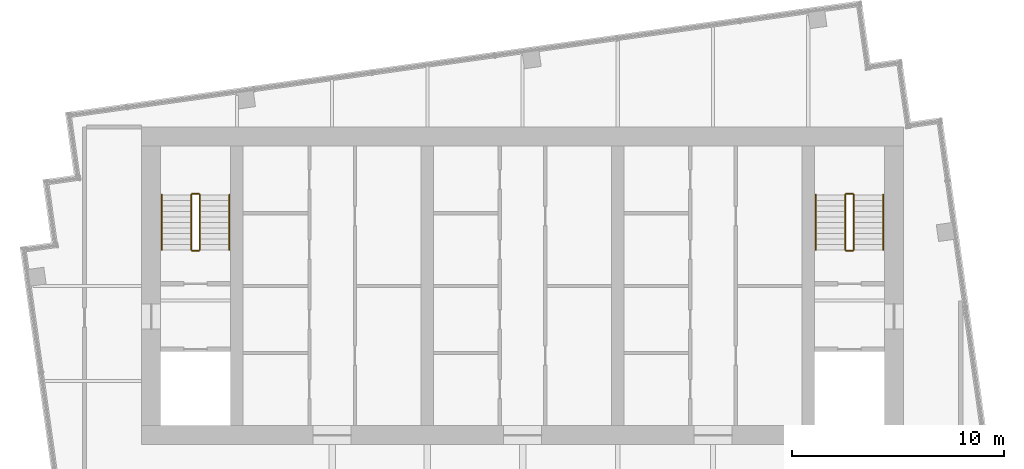
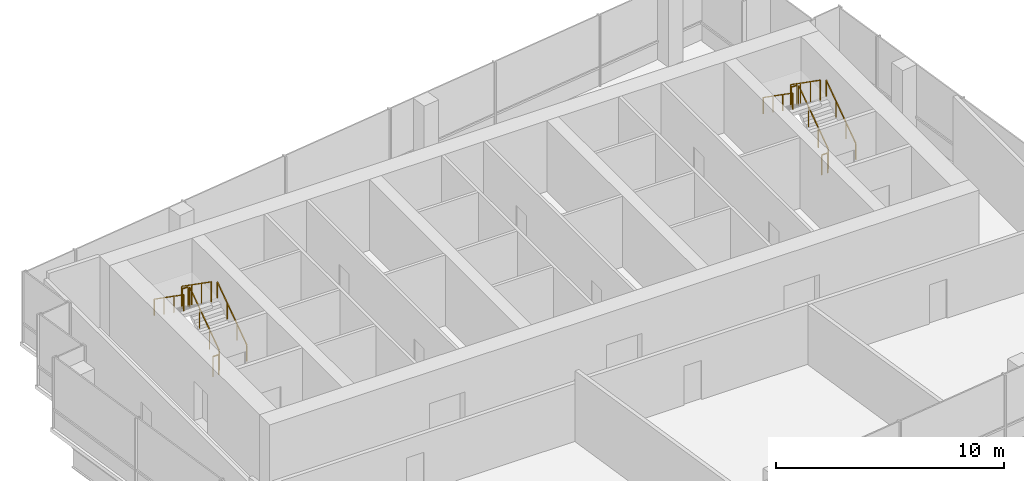
# One storey, part 10 of 10: 12 railings.
"""IFC4 building model written with IfcOpenShell, lengths in metres."""

from ifc_helpers import new_model, si_unit, direction, frame, origin, origin_2d, place, context, subcontext, project, spatial, rectangle, extrude, material, type_object, element, save


model = new_model("IFC4")

# Units and contexts
model_context = context("Model", 3, precision=1e-05, world=origin(), true_north=direction((0.0, 1.0)))
body_context = subcontext(model_context, "Body", "Model", "MODEL_VIEW")
ifc_project = project(units=[si_unit("LENGTHUNIT", "METRE"), si_unit("AREAUNIT", "SQUARE_METRE"), si_unit("VOLUMEUNIT", "CUBIC_METRE"), si_unit("PLANEANGLEUNIT", "RADIAN"), si_unit("MASSUNIT", "GRAM", prefix="KILO")], contexts=[model_context])

# Site, building, storey
site_placement = place(None, origin())
site = spatial("IfcSite", under=ifc_project, at=site_placement, CompositionType="ELEMENT")
building_placement = place(site_placement, origin())
building = spatial("IfcBuilding", under=site, at=building_placement, Name="Rattan Terrace Tower", CompositionType="ELEMENT")
storey_placement = place(building_placement, frame((0.0, 0.0, 308.300048828125)))
storey = spatial("IfcBuildingStorey", under=building, at=storey_placement, Name="C05", CompositionType="ELEMENT", Elevation=308.300048828125)

# Railings
ifc_material_1 = material(Name="Powder-coated steel guard", Category="steel")
railing_type_1 = type_object("IfcRailingType", Name="Core stair guard", PredefinedType="GUARDRAIL", material=ifc_material_1)
railing_1_placement = place(storey_placement, frame((-15.25, 1.699951171875, 0.181884765625)))
element("IfcRailing", 1, at=railing_1_placement, inside=storey, type_object=railing_type_1, Name="C05 S1 stair guard 1", PredefinedType="GUARDRAIL", context=body_context, shape_type="SweptSolid", body=[
    extrude(rectangle(XDim=0.048095703125, YDim=0.048095703125, at=origin_2d()), frame((0.0, 0.0, 1.076171875), z_axis=(0.0, 0.819521025635, 0.573049115296), x_axis=(-1.0, 0.0, 0.0)), (0.0, 0.0, 1.0), 3.172607421875),
    extrude(rectangle(XDim=0.0419921875, YDim=0.0419921875, at=origin_2d()), origin(), (0.0, 0.0, 1.0), 1.052001953125),
    extrude(rectangle(XDim=0.0419921875, YDim=0.0419921875, at=origin_2d()), frame((0.0, 0.86669921875, 0.60595703125)), (0.0, 0.0, 1.0), 1.052001953125),
    extrude(rectangle(XDim=0.0419921875, YDim=0.0419921875, at=origin_2d()), frame((0.0, 1.7333984375, 1.212158203125)), (0.0, 0.0, 1.0), 1.052001953125),
    extrude(rectangle(XDim=0.0419921875, YDim=0.0419921875, at=origin_2d()), frame((0.0, 2.60009765625, 1.818115234375)), (0.0, 0.0, 1.0), 1.052001953125),
])
railing_2_placement = place(storey_placement, frame((-15.300048828125, 4.35009765625, 2.0)))
element("IfcRailing", 2, at=railing_2_placement, inside=storey, type_object=railing_type_1, Name="C05 S1 stair guard 2", PredefinedType="GUARDRAIL", context=body_context, shape_type="SweptSolid", body=[
    extrude(rectangle(XDim=0.048095703125, YDim=0.048095703125, at=origin_2d()), frame((0.0, 0.0, 1.076171875), z_axis=(-1.0, 0.0, 0.0), x_axis=(0.0, -1.0, 0.0)), (0.0, 0.0, 1.0), 0.300048828125),
    extrude(rectangle(XDim=0.0419921875, YDim=0.0419921875, at=origin_2d()), origin(), (0.0, 0.0, 1.0), 1.052001953125),
    extrude(rectangle(XDim=0.0419921875, YDim=0.0419921875, at=origin_2d()), frame((-0.300048828125, 0.0, 0.0)), (0.0, 0.0, 1.0), 1.052001953125),
])
railing_3_placement = place(storey_placement, frame((-15.64990234375, 4.300048828125, 2.181884765625)))
element("IfcRailing", 3, at=railing_3_placement, inside=storey, type_object=railing_type_1, Name="C05 S1 stair guard 3", PredefinedType="GUARDRAIL", context=body_context, shape_type="SweptSolid", body=[
    extrude(rectangle(XDim=0.048095703125, YDim=0.048095703125, at=origin_2d()), frame((0.0, 0.0, 1.076171875), z_axis=(0.0, -0.819521025635, 0.573049115296), x_axis=(1.0, 0.0, 0.0)), (0.0, 0.0, 1.0), 3.172607421875),
    extrude(rectangle(XDim=0.0419921875, YDim=0.0419921875, at=origin_2d()), origin(), (0.0, 0.0, 1.0), 1.052001953125),
    extrude(rectangle(XDim=0.0419921875, YDim=0.0419921875, at=origin_2d()), frame((0.0, -0.86669921875, 0.60595703125)), (0.0, 0.0, 1.0), 1.052001953125),
    extrude(rectangle(XDim=0.0419921875, YDim=0.0419921875, at=origin_2d()), frame((0.0, -1.7333984375, 1.212158203125)), (0.0, 0.0, 1.0), 1.052001953125),
    extrude(rectangle(XDim=0.0419921875, YDim=0.0419921875, at=origin_2d()), frame((0.0, -2.60009765625, 1.818115234375)), (0.0, 0.0, 1.0), 1.052001953125),
])
railing_4_placement = place(storey_placement, frame((-15.300048828125, 1.64990234375, 0.0)))
element("IfcRailing", 4, at=railing_4_placement, inside=storey, type_object=railing_type_1, Name="C05 S1 stair guard 4", PredefinedType="GUARDRAIL", context=body_context, shape_type="SweptSolid", body=[
    extrude(rectangle(XDim=0.048095703125, YDim=0.048095703125, at=origin_2d()), frame((0.0, 0.0, 1.076171875), z_axis=(-1.0, 0.0, 0.0), x_axis=(0.0, -1.0, 0.0)), (0.0, 0.0, 1.0), 0.300048828125),
    extrude(rectangle(XDim=0.0419921875, YDim=0.0419921875, at=origin_2d()), origin(), (0.0, 0.0, 1.0), 1.052001953125),
    extrude(rectangle(XDim=0.0419921875, YDim=0.0419921875, at=origin_2d()), frame((-0.300048828125, 0.0, 0.0)), (0.0, 0.0, 1.0), 1.052001953125),
])
railing_5_placement = place(storey_placement, frame((15.64990234375, 1.699951171875, 0.181884765625)))
element("IfcRailing", 5, at=railing_5_placement, inside=storey, type_object=railing_type_1, Name="C05 S2 stair guard 1", PredefinedType="GUARDRAIL", context=body_context, shape_type="SweptSolid", body=[
    extrude(rectangle(XDim=0.048095703125, YDim=0.048095703125, at=origin_2d()), frame((0.0, 0.0, 1.076171875), z_axis=(0.0, 0.819521025635, 0.573049115296), x_axis=(-1.0, 0.0, 0.0)), (0.0, 0.0, 1.0), 3.172607421875),
    extrude(rectangle(XDim=0.0419921875, YDim=0.0419921875, at=origin_2d()), origin(), (0.0, 0.0, 1.0), 1.052001953125),
    extrude(rectangle(XDim=0.0419921875, YDim=0.0419921875, at=origin_2d()), frame((0.0, 0.86669921875, 0.60595703125)), (0.0, 0.0, 1.0), 1.052001953125),
    extrude(rectangle(XDim=0.0419921875, YDim=0.0419921875, at=origin_2d()), frame((0.0, 1.7333984375, 1.212158203125)), (0.0, 0.0, 1.0), 1.052001953125),
    extrude(rectangle(XDim=0.0419921875, YDim=0.0419921875, at=origin_2d()), frame((0.0, 2.60009765625, 1.818115234375)), (0.0, 0.0, 1.0), 1.052001953125),
])
railing_6_placement = place(storey_placement, frame((15.60009765625, 4.35009765625, 2.0)))
element("IfcRailing", 6, at=railing_6_placement, inside=storey, type_object=railing_type_1, Name="C05 S2 stair guard 2", PredefinedType="GUARDRAIL", context=body_context, shape_type="SweptSolid", body=[
    extrude(rectangle(XDim=0.048095703125, YDim=0.048095703125, at=origin_2d()), frame((0.0, 0.0, 1.076171875), z_axis=(-1.0, 0.0, 0.0), x_axis=(0.0, -1.0, 0.0)), (0.0, 0.0, 1.0), 0.300048828125),
    extrude(rectangle(XDim=0.0419921875, YDim=0.0419921875, at=origin_2d()), origin(), (0.0, 0.0, 1.0), 1.052001953125),
    extrude(rectangle(XDim=0.0419921875, YDim=0.0419921875, at=origin_2d()), frame((-0.300048828125, 0.0, 0.0)), (0.0, 0.0, 1.0), 1.052001953125),
])
railing_7_placement = place(storey_placement, frame((15.25, 4.300048828125, 2.181884765625)))
element("IfcRailing", 7, at=railing_7_placement, inside=storey, type_object=railing_type_1, Name="C05 S2 stair guard 3", PredefinedType="GUARDRAIL", context=body_context, shape_type="SweptSolid", body=[
    extrude(rectangle(XDim=0.048095703125, YDim=0.048095703125, at=origin_2d()), frame((0.0, 0.0, 1.076171875), z_axis=(0.0, -0.819521025635, 0.573049115296), x_axis=(1.0, 0.0, 0.0)), (0.0, 0.0, 1.0), 3.172607421875),
    extrude(rectangle(XDim=0.0419921875, YDim=0.0419921875, at=origin_2d()), origin(), (0.0, 0.0, 1.0), 1.052001953125),
    extrude(rectangle(XDim=0.0419921875, YDim=0.0419921875, at=origin_2d()), frame((0.0, -0.86669921875, 0.60595703125)), (0.0, 0.0, 1.0), 1.052001953125),
    extrude(rectangle(XDim=0.0419921875, YDim=0.0419921875, at=origin_2d()), frame((0.0, -1.7333984375, 1.212158203125)), (0.0, 0.0, 1.0), 1.052001953125),
    extrude(rectangle(XDim=0.0419921875, YDim=0.0419921875, at=origin_2d()), frame((0.0, -2.60009765625, 1.818115234375)), (0.0, 0.0, 1.0), 1.052001953125),
])
railing_8_placement = place(storey_placement, frame((15.60009765625, 1.64990234375, 0.0)))
element("IfcRailing", 8, at=railing_8_placement, inside=storey, type_object=railing_type_1, Name="C05 S2 stair guard 4", PredefinedType="GUARDRAIL", context=body_context, shape_type="SweptSolid", body=[
    extrude(rectangle(XDim=0.048095703125, YDim=0.048095703125, at=origin_2d()), frame((0.0, 0.0, 1.076171875), z_axis=(-1.0, 0.0, 0.0), x_axis=(0.0, -1.0, 0.0)), (0.0, 0.0, 1.0), 0.300048828125),
    extrude(rectangle(XDim=0.0419921875, YDim=0.0419921875, at=origin_2d()), origin(), (0.0, 0.0, 1.0), 1.052001953125),
    extrude(rectangle(XDim=0.0419921875, YDim=0.0419921875, at=origin_2d()), frame((-0.300048828125, 0.0, 0.0)), (0.0, 0.0, 1.0), 1.052001953125),
])
ifc_material_2 = material(Name="Powder-coated steel handrail", Category="steel")
railing_type_2 = type_object("IfcRailingType", Name="Core stair handrail", PredefinedType="HANDRAIL", material=ifc_material_2)
railing_9_placement = place(storey_placement, frame((-13.85009765625, 1.699951171875, 0.181884765625)))
element("IfcRailing", 9, at=railing_9_placement, inside=storey, type_object=railing_type_2, Name="C05 S1 stair handrail 1", PredefinedType="HANDRAIL", context=body_context, shape_type="SweptSolid", body=[
    extrude(rectangle(XDim=0.048095703125, YDim=0.048095703125, at=origin_2d()), frame((0.0, 0.0, 0.8759765625), z_axis=(0.0, 0.819521025635, 0.573049115296), x_axis=(-1.0, 0.0, 0.0)), (0.0, 0.0, 1.0), 3.172607421875),
    extrude(rectangle(XDim=0.0419921875, YDim=0.0419921875, at=origin_2d()), origin(), (0.0, 0.0, 1.0), 0.851806640625),
    extrude(rectangle(XDim=0.0419921875, YDim=0.0419921875, at=origin_2d()), frame((0.0, 0.86669921875, 0.60595703125)), (0.0, 0.0, 1.0), 0.851806640625),
    extrude(rectangle(XDim=0.0419921875, YDim=0.0419921875, at=origin_2d()), frame((0.0, 1.7333984375, 1.212158203125)), (0.0, 0.0, 1.0), 0.851806640625),
    extrude(rectangle(XDim=0.0419921875, YDim=0.0419921875, at=origin_2d()), frame((0.0, 2.60009765625, 1.818115234375)), (0.0, 0.0, 1.0), 0.851806640625),
])
railing_10_placement = place(storey_placement, frame((-17.050048828125, 4.300048828125, 2.181884765625)))
element("IfcRailing", 10, at=railing_10_placement, inside=storey, type_object=railing_type_2, Name="C05 S1 stair handrail 2", PredefinedType="HANDRAIL", context=body_context, shape_type="SweptSolid", body=[
    extrude(rectangle(XDim=0.048095703125, YDim=0.048095703125, at=origin_2d()), frame((0.0, 0.0, 0.8759765625), z_axis=(0.0, -0.819521025635, 0.573049115296), x_axis=(1.0, 0.0, 0.0)), (0.0, 0.0, 1.0), 3.172607421875),
    extrude(rectangle(XDim=0.0419921875, YDim=0.0419921875, at=origin_2d()), origin(), (0.0, 0.0, 1.0), 0.851806640625),
    extrude(rectangle(XDim=0.0419921875, YDim=0.0419921875, at=origin_2d()), frame((0.0, -0.86669921875, 0.60595703125)), (0.0, 0.0, 1.0), 0.851806640625),
    extrude(rectangle(XDim=0.0419921875, YDim=0.0419921875, at=origin_2d()), frame((0.0, -1.7333984375, 1.212158203125)), (0.0, 0.0, 1.0), 0.851806640625),
    extrude(rectangle(XDim=0.0419921875, YDim=0.0419921875, at=origin_2d()), frame((0.0, -2.60009765625, 1.818115234375)), (0.0, 0.0, 1.0), 0.851806640625),
])
railing_11_placement = place(storey_placement, frame((17.050048828125, 1.699951171875, 0.181884765625)))
element("IfcRailing", 11, at=railing_11_placement, inside=storey, type_object=railing_type_2, Name="C05 S2 stair handrail 1", PredefinedType="HANDRAIL", context=body_context, shape_type="SweptSolid", body=[
    extrude(rectangle(XDim=0.048095703125, YDim=0.048095703125, at=origin_2d()), frame((0.0, 0.0, 0.8759765625), z_axis=(0.0, 0.819521025635, 0.573049115296), x_axis=(-1.0, 0.0, 0.0)), (0.0, 0.0, 1.0), 3.172607421875),
    extrude(rectangle(XDim=0.0419921875, YDim=0.0419921875, at=origin_2d()), origin(), (0.0, 0.0, 1.0), 0.851806640625),
    extrude(rectangle(XDim=0.0419921875, YDim=0.0419921875, at=origin_2d()), frame((0.0, 0.86669921875, 0.60595703125)), (0.0, 0.0, 1.0), 0.851806640625),
    extrude(rectangle(XDim=0.0419921875, YDim=0.0419921875, at=origin_2d()), frame((0.0, 1.7333984375, 1.212158203125)), (0.0, 0.0, 1.0), 0.851806640625),
    extrude(rectangle(XDim=0.0419921875, YDim=0.0419921875, at=origin_2d()), frame((0.0, 2.60009765625, 1.818115234375)), (0.0, 0.0, 1.0), 0.851806640625),
])
railing_12_placement = place(storey_placement, frame((13.85009765625, 4.300048828125, 2.181884765625)))
element("IfcRailing", 12, at=railing_12_placement, inside=storey, type_object=railing_type_2, Name="C05 S2 stair handrail 2", PredefinedType="HANDRAIL", context=body_context, shape_type="SweptSolid", body=[
    extrude(rectangle(XDim=0.048095703125, YDim=0.048095703125, at=origin_2d()), frame((0.0, 0.0, 0.8759765625), z_axis=(0.0, -0.819521025635, 0.573049115296), x_axis=(1.0, 0.0, 0.0)), (0.0, 0.0, 1.0), 3.172607421875),
    extrude(rectangle(XDim=0.0419921875, YDim=0.0419921875, at=origin_2d()), origin(), (0.0, 0.0, 1.0), 0.851806640625),
    extrude(rectangle(XDim=0.0419921875, YDim=0.0419921875, at=origin_2d()), frame((0.0, -0.86669921875, 0.60595703125)), (0.0, 0.0, 1.0), 0.851806640625),
    extrude(rectangle(XDim=0.0419921875, YDim=0.0419921875, at=origin_2d()), frame((0.0, -1.7333984375, 1.212158203125)), (0.0, 0.0, 1.0), 0.851806640625),
    extrude(rectangle(XDim=0.0419921875, YDim=0.0419921875, at=origin_2d()), frame((0.0, -2.60009765625, 1.818115234375)), (0.0, 0.0, 1.0), 0.851806640625),
])

save(model, "model.ifc")
